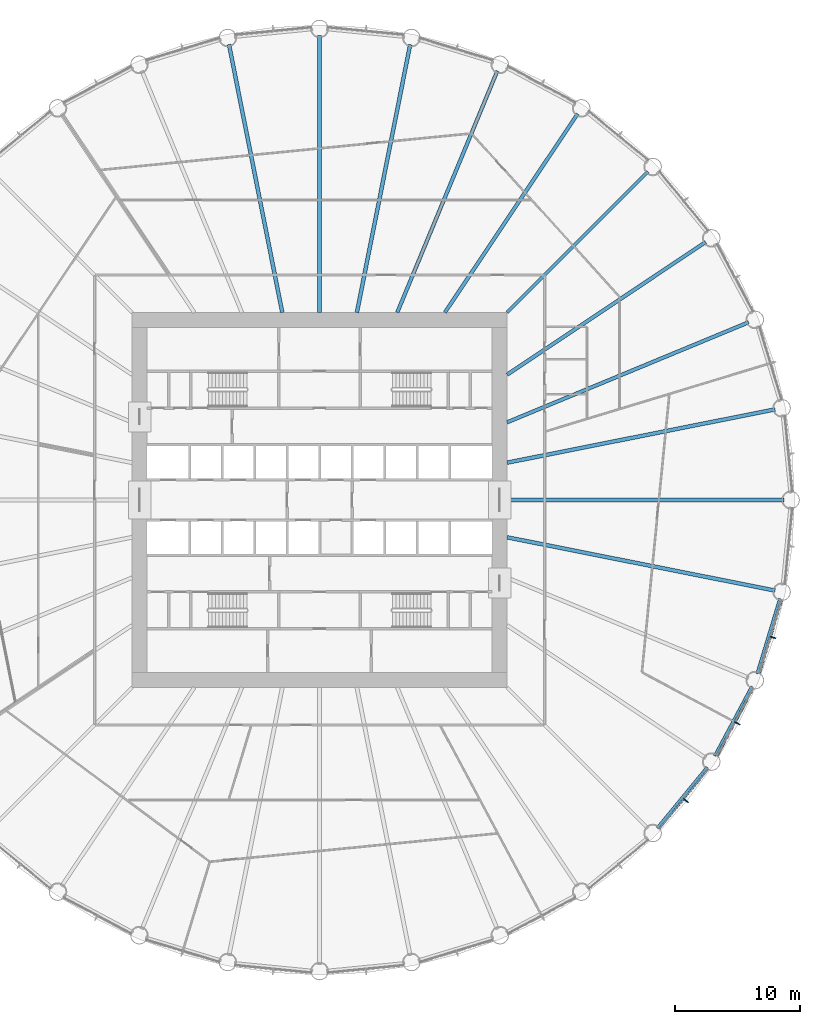
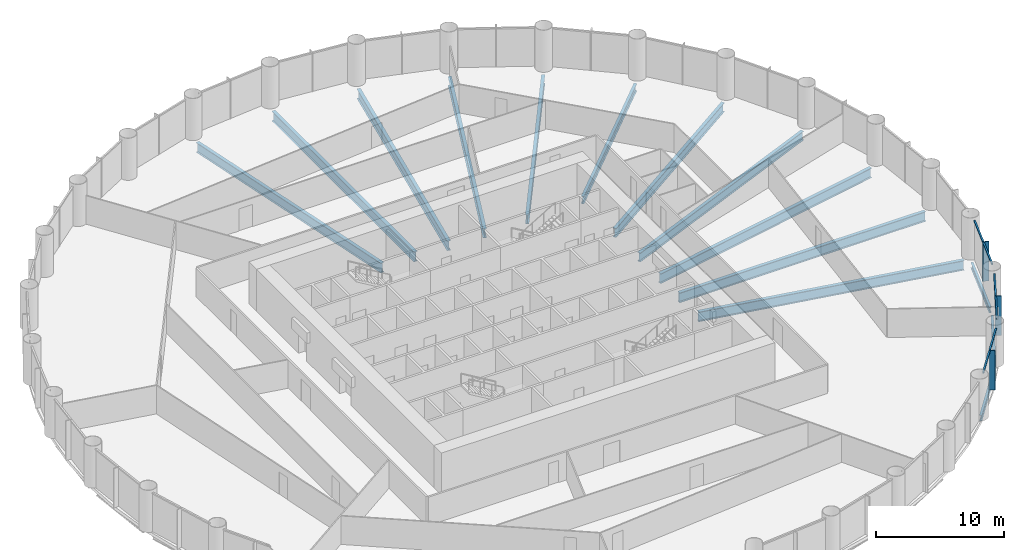
# One storey, part 5 of 14: 14 beams, 9 members, 3 elements without a shape of their own.
"""IFC4 building model written with IfcOpenShell, lengths in metres."""

from ifc_helpers import new_model, si_unit, direction, frame, origin, origin_2d, place, context, subcontext, project, spatial, rectangle, i_section, extrude, material, material_profile, profile_set, type_object, element, aggregate, save


model = new_model("IFC4")

# Units and contexts
model_context = context("Model", 3, precision=1e-05, world=origin(), true_north=direction((0.0, 1.0)))
body_context = subcontext(model_context, "Body", "Model", "MODEL_VIEW")
ifc_project = project(units=[si_unit("LENGTHUNIT", "METRE"), si_unit("AREAUNIT", "SQUARE_METRE"), si_unit("VOLUMEUNIT", "CUBIC_METRE"), si_unit("PLANEANGLEUNIT", "RADIAN"), si_unit("MASSUNIT", "GRAM", prefix="KILO")], contexts=[model_context])

# Site, building, storey
site_placement = place(None, origin())
site = spatial("IfcSite", under=ifc_project, at=site_placement, CompositionType="ELEMENT")
building_placement = place(site_placement, origin())
building = spatial("IfcBuilding", under=site, at=building_placement, Name="Corvane Civic Tower", CompositionType="ELEMENT")
storey_placement = place(building_placement, frame((0.0, 0.0, 49.0)))
storey = spatial("IfcBuildingStorey", under=building, at=storey_placement, Name="L10", CompositionType="ELEMENT", Elevation=49.0)

# Beams
ifc_material_1 = material(Name="Steel ASTM A992 Gr 50", Category="steel")
ifc_material_profile_1 = material_profile(ifc_material_1, i_section(OverallWidth=0.209228515625, OverallDepth=0.533447265625, WebThickness=0.01025390625, FlangeThickness=0.015625, at=origin_2d()), Name="W21X62")
ifc_profile_set_1 = profile_set([ifc_material_profile_1], Name="Steel ASTM A992 Gr 50")
beam_type_1 = type_object("IfcBeamType", Name="EDGE BEAM W21X62", PredefinedType="BEAM", material=ifc_profile_set_1)
for number, where, z_axis, x_axis, name in (
    (1, (36.81591796875, -7.88134765625, -0.566650390625), (-0.290273452184, -0.956943740748, 0.0), (0.956943740748, -0.290273452184, 0.0), "BM-L10-E10"),
    (2, (34.571044921875, -14.912353515625, -0.566650390625), (-0.471405897311, -0.881916367906, 0.0), (0.881916367906, -0.471405897311, 0.0), "BM-L10-E11"),
):
    element("IfcBeam", number, at=place(storey_placement, frame(where, z_axis=z_axis, x_axis=x_axis)), inside=storey, type_object=beam_type_1, Name=name, PredefinedType="BEAM", context=body_context, shape_type="SweptSolid", body=[
        extrude(i_section(OverallWidth=0.209228515625, OverallDepth=0.533447265625, WebThickness=0.01025390625, FlangeThickness=0.015625, at=origin_2d()), origin(), (0.0, 0.0, 1.0), 6.290283203125),
    ])
beam_1_placement = place(storey_placement, frame((30.99755859375, -21.3701171875, -0.566650390625), z_axis=(-0.634386787141, -0.773015785286, 0.0), x_axis=(0.773015785286, -0.634386787141, 0.0)))
element("IfcBeam", 3, at=beam_1_placement, inside=storey, type_object=beam_type_1, Name="BM-L10-E12", PredefinedType="BEAM", context=body_context, shape_type="SweptSolid", body=[
    extrude(i_section(OverallWidth=0.209228515625, OverallDepth=0.533447265625, WebThickness=0.01025390625, FlangeThickness=0.015625, at=origin_2d()), origin(), (0.0, 0.0, 1.0), 6.290771484375),
])
ifc_material_2 = material(Name="Steel ASTM A992 Gr 50", Category="steel")
ifc_material_profile_2 = material_profile(ifc_material_2, i_section(OverallWidth=0.256591796875, OverallDepth=0.693359375, WebThickness=0.014404296875, FlangeThickness=0.023681640625, at=origin_2d()), Name="W27X114")
ifc_profile_set_2 = profile_set([ifc_material_profile_2], Name="Steel ASTM A992 Gr 50")
beam_type_2 = type_object("IfcBeamType", Name="FLOOR GIRDER W27X114", PredefinedType="BEAM", material=ifc_profile_set_2)
beam_2_placement = place(storey_placement, frame((15.0, 15.0, -0.646728515625), z_axis=(0.707106781187, 0.707106781187, 0.0), x_axis=(-0.707106781187, 0.707106781187, 0.0)))
element("IfcBeam", 4, at=beam_2_placement, inside=storey, type_object=beam_type_2, Name="BM-L10-G05", PredefinedType="BEAM", context=body_context, shape_type="SweptSolid", body=[
    extrude(i_section(OverallWidth=0.256591796875, OverallDepth=0.693359375, WebThickness=0.014404296875, FlangeThickness=0.023681640625, at=origin_2d()), origin(), (0.0, 0.0, 1.0), 15.936767578125),
])
ifc_material_3 = material(Name="Steel ASTM A992 Gr 50", Category="steel")
ifc_material_profile_3 = material_profile(ifc_material_3, i_section(OverallWidth=0.2919921875, OverallDepth=0.8583984375, WebThickness=0.01708984375, FlangeThickness=0.031005859375, at=origin_2d()), Name="W33X169")
ifc_profile_set_3 = profile_set([ifc_material_profile_3], Name="Steel ASTM A992 Gr 50")
beam_type_3 = type_object("IfcBeamType", Name="FLOOR GIRDER W33X169", PredefinedType="BEAM", material=ifc_profile_set_3)
beam_3_placement = place(storey_placement, frame((6.213134765625, 15.0, -0.729248046875), z_axis=(0.382692360381, 0.923875834355, 0.0), x_axis=(-0.923875834355, 0.382692360381, 0.0)))
element("IfcBeam", 5, at=beam_3_placement, inside=storey, type_object=beam_type_3, Name="BM-L10-G03", PredefinedType="BEAM", context=body_context, shape_type="SweptSolid", body=[
    extrude(i_section(OverallWidth=0.2919921875, OverallDepth=0.8583984375, WebThickness=0.01708984375, FlangeThickness=0.031005859375, at=origin_2d()), origin(), (0.0, 0.0, 1.0), 20.9140625),
])
for number, where, z_axis, x_axis, name in (
    (6, (10.022705078125, 15.0, -0.729248046875), (0.555566681385, 0.831471985418, 0.0), (-0.831471985418, 0.555566681385, 0.0), "BM-L10-G04"),
    (7, (15.0, 10.022705078125, -0.729248046875), (0.831471985418, 0.555566681385, 0.0), (-0.555566681385, 0.831471985418, 0.0), "BM-L10-G06"),
):
    element("IfcBeam", number, at=place(storey_placement, frame(where, z_axis=z_axis, x_axis=x_axis)), inside=storey, type_object=beam_type_3, Name=name, PredefinedType="BEAM", context=body_context, shape_type="SweptSolid", body=[
        extrude(i_section(OverallWidth=0.2919921875, OverallDepth=0.8583984375, WebThickness=0.01708984375, FlangeThickness=0.031005859375, at=origin_2d()), origin(), (0.0, 0.0, 1.0), 19.109619140625),
    ])
beam_4_placement = place(storey_placement, frame((15.0, 6.213134765625, -0.729248046875), z_axis=(0.923875834355, 0.382692360381, 0.0), x_axis=(-0.382692360381, 0.923875834355, 0.0)))
element("IfcBeam", 8, at=beam_4_placement, inside=storey, type_object=beam_type_3, Name="BM-L10-G07", PredefinedType="BEAM", context=body_context, shape_type="SweptSolid", body=[
    extrude(i_section(OverallWidth=0.2919921875, OverallDepth=0.8583984375, WebThickness=0.01708984375, FlangeThickness=0.031005859375, at=origin_2d()), origin(), (0.0, 0.0, 1.0), 20.9140625),
])
ifc_material_4 = material(Name="Steel ASTM A992 Gr 50", Category="steel")
ifc_material_profile_4 = material_profile(ifc_material_4, i_section(OverallWidth=0.307373046875, OverallDepth=0.927001953125, WebThickness=0.01953125, FlangeThickness=0.031982421875, at=origin_2d()), Name="W36X194")
ifc_profile_set_4 = profile_set([ifc_material_profile_4], Name="Steel ASTM A992 Gr 50")
beam_type_4 = type_object("IfcBeamType", Name="FLOOR GIRDER W36X194", PredefinedType="BEAM", material=ifc_profile_set_4)
beam_5_placement = place(storey_placement, frame((0.0, 15.0, -0.763671875), z_axis=(0.0, 1.0, 0.0), x_axis=(-1.0, 0.0, 0.0)))
element("IfcBeam", 9, at=beam_5_placement, inside=storey, type_object=beam_type_4, Name="BM-L10-G01", PredefinedType="BEAM", context=body_context, shape_type="SweptSolid", body=[
    extrude(i_section(OverallWidth=0.307373046875, OverallDepth=0.927001953125, WebThickness=0.01953125, FlangeThickness=0.031982421875, at=origin_2d()), origin(), (0.0, 0.0, 1.0), 22.14990234375),
])
for number, where, z_axis, x_axis, name in (
    (10, (2.983642578125, 15.0, -0.763671875), (0.195089219638, 0.980785499679, 0.0), (-0.980785499679, 0.195089219638, 0.0), "BM-L10-G02"),
    (11, (15.0, 2.983642578125, -0.763671875), (0.980785499679, 0.195089219638, 0.0), (-0.195089219638, 0.980785499679, 0.0), "BM-L10-G08"),
):
    element("IfcBeam", number, at=place(storey_placement, frame(where, z_axis=z_axis, x_axis=x_axis)), inside=storey, type_object=beam_type_4, Name=name, PredefinedType="BEAM", context=body_context, shape_type="SweptSolid", body=[
        extrude(i_section(OverallWidth=0.307373046875, OverallDepth=0.927001953125, WebThickness=0.01953125, FlangeThickness=0.031982421875, at=origin_2d()), origin(), (0.0, 0.0, 1.0), 21.856201171875),
    ])
beam_6_placement = place(storey_placement, frame((15.0, 0.0, -0.763671875), z_axis=(1.0, 0.0, 0.0), x_axis=(0.0, 1.0, 0.0)))
element("IfcBeam", 12, at=beam_6_placement, inside=storey, type_object=beam_type_4, Name="BM-L10-G09", PredefinedType="BEAM", context=body_context, shape_type="SweptSolid", body=[
    extrude(i_section(OverallWidth=0.307373046875, OverallDepth=0.927001953125, WebThickness=0.01953125, FlangeThickness=0.031982421875, at=origin_2d()), origin(), (0.0, 0.0, 1.0), 22.14990234375),
])
for number, where, z_axis, x_axis, name in (
    (13, (15.0, -2.983642578125, -0.763671875), (0.980785499679, -0.195089219638, 0.0), (0.195089219638, 0.980785499679, 0.0), "BM-L10-G10"),
    (14, (-2.983642578125, 15.0, -0.763671875), (-0.195089219638, 0.980785499679, 0.0), (-0.980785499679, -0.195089219638, 0.0), "BM-L10-G32"),
):
    element("IfcBeam", number, at=place(storey_placement, frame(where, z_axis=z_axis, x_axis=x_axis)), inside=storey, type_object=beam_type_4, Name=name, PredefinedType="BEAM", context=body_context, shape_type="SweptSolid", body=[
        extrude(i_section(OverallWidth=0.307373046875, OverallDepth=0.927001953125, WebThickness=0.01953125, FlangeThickness=0.031982421875, at=origin_2d()), origin(), (0.0, 0.0, 1.0), 21.856201171875),
    ])

# Curtain wall, members
ifc_material_5 = material(Name="Anodised aluminium bronze", Category="aluminium")
curtain_wall_type = type_object("IfcCurtainWallType", Name="TOWER CW-T1 STICK CURTAIN WALL", PredefinedType="NOTDEFINED", material=ifc_material_5)
curtain_wall_1_placement = place(storey_placement, origin())
curtain_wall_1 = element("IfcCurtainWall", 15, at=curtain_wall_1_placement, inside=storey, type_object=curtain_wall_type, Name="Curtain wall CW-T1 L10 bay 10", PredefinedType="NOTDEFINED")
ifc_material_6 = material(Name="Anodised aluminium bronze", Category="aluminium")
ifc_material_profile_5 = material_profile(ifc_material_6, rectangle(XDim=0.139892578125, YDim=0.1201171875, at=origin_2d()), Name="TOWER CW-T1 TRANSOM 140x120")
ifc_profile_set_5 = profile_set([ifc_material_profile_5], Name="Anodised aluminium bronze")
member_type_1 = type_object("IfcMemberType", Name="TOWER CW-T1 TRANSOM 140x120", PredefinedType="USERDEFINED", material=ifc_profile_set_5)
member_1_placement = place(storey_placement, frame((36.959228515625, -8.02587890625, 3.68994140625), z_axis=(-0.290279914268, -0.956941780555, 0.0), x_axis=(0.956941780555, -0.290279914268, 0.0)))
member_1 = element("IfcMember", 16, at=member_1_placement, type_object=member_type_1, Name="Transom CW-T1 L10 10.1", ObjectType="TRANSOM", PredefinedType="USERDEFINED", context=body_context, shape_type="SweptSolid", body=[
    extrude(rectangle(XDim=0.139892578125, YDim=0.1201171875, at=origin_2d()), origin(), (0.0, 0.0, 1.0), 3.008544921875),
])
member_2_placement = place(storey_placement, frame((36.062744140625, -10.9814453125, 3.68994140625), z_axis=(-0.290279914268, -0.956941780555, 0.0), x_axis=(0.956941780555, -0.290279914268, 0.0)))
member_2 = element("IfcMember", 17, at=member_2_placement, type_object=member_type_1, Name="Transom CW-T1 L10 10.2", ObjectType="TRANSOM", PredefinedType="USERDEFINED", context=body_context, shape_type="SweptSolid", body=[
    extrude(rectangle(XDim=0.139892578125, YDim=0.1201171875, at=origin_2d()), origin(), (0.0, 0.0, 1.0), 3.008544921875),
])

curtain_wall_2_placement = place(storey_placement, origin())
curtain_wall_2 = element("IfcCurtainWall", 18, at=curtain_wall_2_placement, inside=storey, type_object=curtain_wall_type, Name="Curtain wall CW-T1 L10 bay 11", PredefinedType="NOTDEFINED")
member_3_placement = place(storey_placement, frame((34.683349609375, -15.08203125, 3.68994140625), z_axis=(-0.471392506424, -0.881923525532, 0.0), x_axis=(0.881923525532, -0.471392506424, 0.0)))
member_3 = element("IfcMember", 19, at=member_3_placement, type_object=member_type_1, Name="Transom CW-T1 L10 11.1", ObjectType="TRANSOM", PredefinedType="USERDEFINED", context=body_context, shape_type="SweptSolid", body=[
    extrude(rectangle(XDim=0.139892578125, YDim=0.1201171875, at=origin_2d()), origin(), (0.0, 0.0, 1.0), 3.008544921875),
])
member_4_placement = place(storey_placement, frame((33.2275390625, -17.805908203125, 3.68994140625), z_axis=(-0.471392506424, -0.881923525532, 0.0), x_axis=(0.881923525532, -0.471392506424, 0.0)))
member_4 = element("IfcMember", 20, at=member_4_placement, type_object=member_type_1, Name="Transom CW-T1 L10 11.2", ObjectType="TRANSOM", PredefinedType="USERDEFINED", context=body_context, shape_type="SweptSolid", body=[
    extrude(rectangle(XDim=0.139892578125, YDim=0.1201171875, at=origin_2d()), origin(), (0.0, 0.0, 1.0), 3.008544921875),
])

curtain_wall_3_placement = place(storey_placement, origin())
curtain_wall_3 = element("IfcCurtainWall", 21, at=curtain_wall_3_placement, inside=storey, type_object=curtain_wall_type, Name="Curtain wall CW-T1 L10 bay 12", PredefinedType="NOTDEFINED")
member_5_placement = place(storey_placement, frame((31.074462890625, -21.55859375, 3.68994140625), z_axis=(-0.634355161466, -0.773041738279, 0.0), x_axis=(0.773041738279, -0.634355161466, 0.0)))
member_5 = element("IfcMember", 22, at=member_5_placement, type_object=member_type_1, Name="Transom CW-T1 L10 12.1", ObjectType="TRANSOM", PredefinedType="USERDEFINED", context=body_context, shape_type="SweptSolid", body=[
    extrude(rectangle(XDim=0.139892578125, YDim=0.1201171875, at=origin_2d()), origin(), (0.0, 0.0, 1.0), 3.008544921875),
])
member_6_placement = place(storey_placement, frame((29.115234375, -23.946044921875, 3.68994140625), z_axis=(-0.634403652865, -0.773001943873, 0.0), x_axis=(0.773001943873, -0.634403652865, 0.0)))
member_6 = element("IfcMember", 23, at=member_6_placement, type_object=member_type_1, Name="Transom CW-T1 L10 12.2", ObjectType="TRANSOM", PredefinedType="USERDEFINED", context=body_context, shape_type="SweptSolid", body=[
    extrude(rectangle(XDim=0.139892578125, YDim=0.1201171875, at=origin_2d()), origin(), (0.0, 0.0, 1.0), 3.008544921875),
])

# Member
ifc_material_7 = material(Name="Anodised aluminium bronze", Category="aluminium")
ifc_material_profile_6 = material_profile(ifc_material_7, rectangle(XDim=0.080078125, YDim=0.5, at=origin_2d()), Name="TOWER FIN MULLION 80x500 BRONZE")
ifc_profile_set_6 = profile_set([ifc_material_profile_6], Name="Anodised aluminium bronze")
member_type_2 = type_object("IfcMemberType", Name="TOWER FIN MULLION 80x500 BRONZE", PredefinedType="MULLION", material=ifc_profile_set_6)
member_7_placement = place(storey_placement, frame((36.265625, -11.001220703125, 0.0), z_axis=(0.0, 0.0, 1.0), x_axis=(-0.290278397654, -0.956942240606, 0.0)))
member_7 = element("IfcMember", 24, at=member_7_placement, type_object=member_type_2, Name="Fin mullion 10 L10", PredefinedType="MULLION", context=body_context, shape_type="SweptSolid", body=[
    extrude(rectangle(XDim=0.080078125, YDim=0.5, at=origin_2d()), origin(), (0.0, 0.0, 1.0), 3.75),
])

aggregate(curtain_wall_1, [member_7, member_1, member_2])

member_8_placement = place(storey_placement, frame((33.422607421875, -17.86474609375, 0.0), z_axis=(0.0, 0.0, 1.0), x_axis=(-0.471403725359, -0.881917528864, 0.0)))
member_8 = element("IfcMember", 25, at=member_8_placement, type_object=member_type_2, Name="Fin mullion 11 L10", PredefinedType="MULLION", context=body_context, shape_type="SweptSolid", body=[
    extrude(rectangle(XDim=0.080078125, YDim=0.5, at=origin_2d()), origin(), (0.0, 0.0, 1.0), 3.75),
])

aggregate(curtain_wall_2, [member_8, member_3, member_4])

member_9_placement = place(storey_placement, frame((29.295166015625, -24.0419921875, 0.0), z_axis=(0.0, 0.0, 1.0), x_axis=(-0.634397218569, -0.773007224463, 0.0)))
member_9 = element("IfcMember", 26, at=member_9_placement, type_object=member_type_2, Name="Fin mullion 12 L10", PredefinedType="MULLION", context=body_context, shape_type="SweptSolid", body=[
    extrude(rectangle(XDim=0.080078125, YDim=0.5, at=origin_2d()), origin(), (0.0, 0.0, 1.0), 3.75),
])

aggregate(curtain_wall_3, [member_9, member_5, member_6])

save(model, "model.ifc")
